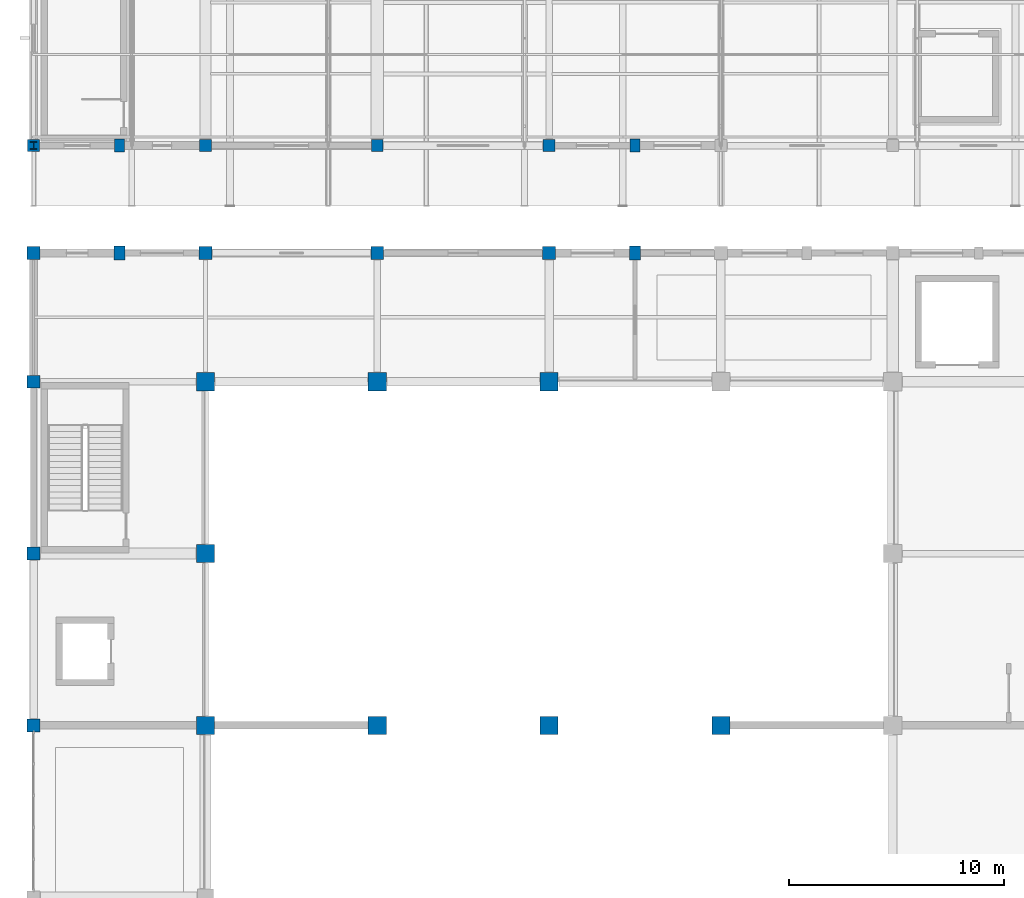
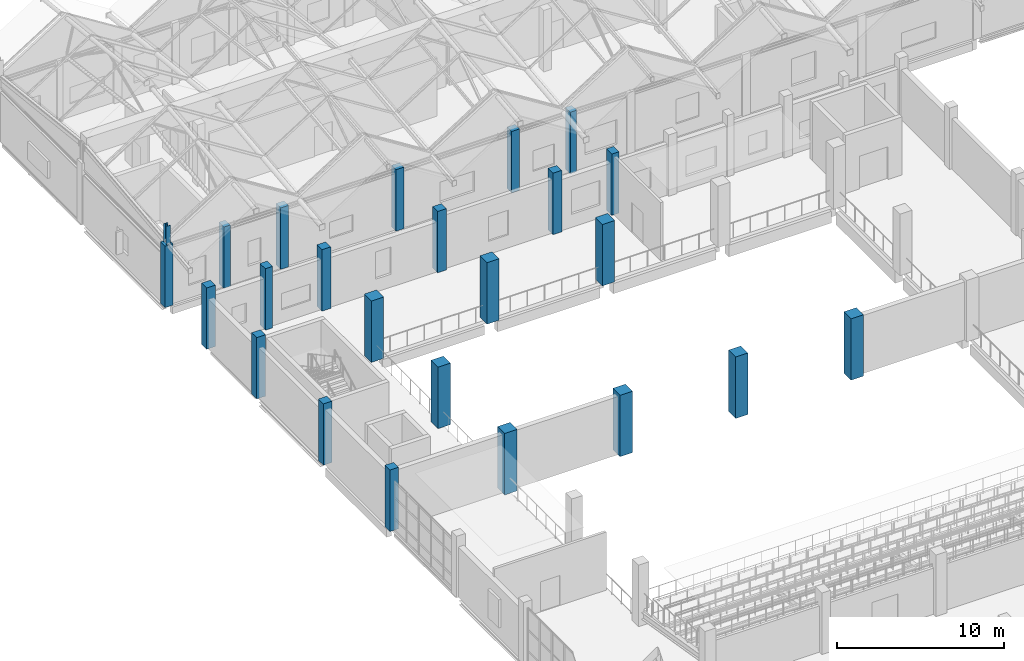
# One storey, part 3 of 183: 24 columns.
"""IFC4 building model written with IfcOpenShell, lengths in metres."""

from ifc_helpers import new_model, si_unit, direction, frame, origin, origin_2d, place, context, subcontext, project, spatial, rectangle, i_section, extrude, material, material_profile, profile_set, type_object, element, save


model = new_model("IFC4")

# Units and contexts
model_context = context("Model", 3, precision=1e-05, world=origin(), true_north=direction((0.0, 1.0)))
body_context = subcontext(model_context, "Body", "Model", "MODEL_VIEW")
ifc_project = project(units=[si_unit("LENGTHUNIT", "METRE"), si_unit("AREAUNIT", "SQUARE_METRE"), si_unit("VOLUMEUNIT", "CUBIC_METRE"), si_unit("PLANEANGLEUNIT", "RADIAN"), si_unit("MASSUNIT", "GRAM", prefix="KILO")], contexts=[model_context])

# Site, building, storey
site_placement = place(None, origin())
site = spatial("IfcSite", under=ifc_project, at=site_placement, CompositionType="ELEMENT")
building_placement = place(site_placement, origin())
building = spatial("IfcBuilding", under=site, at=building_placement, Name="Luwemba Playhouse", CompositionType="ELEMENT")
storey_placement = place(building_placement, frame((0.0, 0.0, 4.800048828125)))
storey = spatial("IfcBuildingStorey", under=building, at=storey_placement, Name="L01", CompositionType="ELEMENT", Elevation=4.800048828125)

# Columns
ifc_material_1 = material(Name="Concrete C40/50", Category="concrete")
ifc_material_profile_1 = material_profile(ifc_material_1, rectangle(XDim=0.550048828125, YDim=0.550048828125, at=origin_2d()))
ifc_profile_set_1 = profile_set([ifc_material_profile_1], Name="Concrete C40/50")
column_type_1 = type_object("IfcColumnType", Name="COL-C03", PredefinedType="COLUMN", material=ifc_profile_set_1)
for number, where, z_axis, x_axis, name in (
    (1, (4.0, 95.0, 0.0), (0.0, 0.0, 1.0), (1.0, 0.0, 0.0), "L01 column 013"),
    (2, (12.0, 95.0, 0.0), (0.0, 0.0, 1.0), (1.0, 0.0, 0.0), "L01 column 034"),
    (3, (20.0, 95.0, 0.0), (0.0, 0.0, 1.0), (1.0, 0.0, 0.0), "L01 column 050"),
    (4, (28.0, 95.0, 0.0), (0.0, 0.0, 1.0), (1.0, 0.0, 0.0), "L01 column 066"),
):
    element("IfcColumn", number, at=place(storey_placement, frame(where, z_axis=z_axis, x_axis=x_axis)), inside=storey, type_object=column_type_1, Name=name, PredefinedType="COLUMN", context=body_context, shape_type="SweptSolid", body=[
        extrude(rectangle(XDim=0.550048828125, YDim=0.550048828125, at=origin_2d()), origin(), (0.0, 0.0, 1.0), 4.5),
    ])
ifc_material_profile_2 = material_profile(ifc_material_1, rectangle(XDim=0.60009765625, YDim=0.60009765625, at=origin_2d()))
ifc_profile_set_2 = profile_set([ifc_material_profile_2], Name="Concrete C40/50")
column_type_2 = type_object("IfcColumnType", Name="COL-C04", PredefinedType="COLUMN", material=ifc_profile_set_2)
for number, where, z_axis, x_axis, name in (
    (5, (4.0, 68.0, 0.0), (0.0, 0.0, 1.0), (1.0, 0.0, 0.0), "L01 column 009"),
    (6, (4.0, 76.0, 0.0), (0.0, 0.0, 1.0), (1.0, 0.0, 0.0), "L01 column 010"),
    (7, (4.0, 84.0, 0.0), (0.0, 0.0, 1.0), (1.0, 0.0, 0.0), "L01 column 011"),
    (8, (4.0, 90.0, 0.0), (0.0, 0.0, 1.0), (1.0, 0.0, 0.0), "L01 column 012"),
    (9, (12.0, 90.0, 0.0), (0.0, 0.0, 1.0), (1.0, 0.0, 0.0), "L01 column 033"),
    (10, (20.0, 90.0, 0.0), (0.0, 0.0, 1.0), (1.0, 0.0, 0.0), "L01 column 049"),
    (11, (28.0, 90.0, 0.0), (0.0, 0.0, 1.0), (1.0, 0.0, 0.0), "L01 column 065"),
):
    element("IfcColumn", number, at=place(storey_placement, frame(where, z_axis=z_axis, x_axis=x_axis)), inside=storey, type_object=column_type_2, Name=name, PredefinedType="COLUMN", context=body_context, shape_type="SweptSolid", body=[
        extrude(rectangle(XDim=0.60009765625, YDim=0.60009765625, at=origin_2d()), origin(), (0.0, 0.0, 1.0), 4.5),
    ])
ifc_material_profile_3 = material_profile(ifc_material_1, rectangle(XDim=0.85009765625, YDim=0.85009765625, at=origin_2d()))
ifc_profile_set_3 = profile_set([ifc_material_profile_3], Name="Concrete C40/50")
column_type_3 = type_object("IfcColumnType", Name="COL-C09", PredefinedType="COLUMN", material=ifc_profile_set_3)
for number, where, z_axis, x_axis, name in (
    (12, (12.0, 68.0, 0.0), (0.0, 0.0, 1.0), (1.0, 0.0, 0.0), "L01 column 030"),
    (13, (12.0, 76.0, 0.0), (0.0, 0.0, 1.0), (1.0, 0.0, 0.0), "L01 column 031"),
    (14, (12.0, 84.0, 0.0), (0.0, 0.0, 1.0), (1.0, 0.0, 0.0), "L01 column 032"),
    (15, (20.0, 68.0, 0.0), (0.0, 0.0, 1.0), (1.0, 0.0, 0.0), "L01 column 047"),
    (16, (20.0, 84.0, 0.0), (0.0, 0.0, 1.0), (1.0, 0.0, 0.0), "L01 column 048"),
    (17, (28.0, 68.0, 0.0), (0.0, 0.0, 1.0), (1.0, 0.0, 0.0), "L01 column 063"),
    (18, (28.0, 84.0, 0.0), (0.0, 0.0, 1.0), (1.0, 0.0, 0.0), "L01 column 064"),
    (19, (36.0, 68.0, 0.0), (0.0, 0.0, 1.0), (1.0, 0.0, 0.0), "L01 column 081"),
):
    element("IfcColumn", number, at=place(storey_placement, frame(where, z_axis=z_axis, x_axis=x_axis)), inside=storey, type_object=column_type_3, Name=name, PredefinedType="COLUMN", context=body_context, shape_type="SweptSolid", body=[
        extrude(rectangle(XDim=0.85009765625, YDim=0.85009765625, at=origin_2d()), origin(), (0.0, 0.0, 1.0), 4.5),
    ])
ifc_material_profile_4 = material_profile(ifc_material_1, rectangle(XDim=0.449951171875, YDim=0.60009765625, at=origin_2d()))
ifc_profile_set_4 = profile_set([ifc_material_profile_4], Name="Concrete C40/50")
column_type_4 = type_object("IfcColumnType", Name="COL-PIL2", PredefinedType="PILASTER", material=ifc_profile_set_4)
for number, where, z_axis, x_axis, name in (
    (20, (8.0, 95.0, 0.0), (0.0, 0.0, 1.0), (1.0, 0.0, 0.0), "L01 column 020"),
    (21, (32.0, 95.0, 0.0), (0.0, 0.0, 1.0), (1.0, 0.0, 0.0), "L01 column 073"),
):
    element("IfcColumn", number, at=place(storey_placement, frame(where, z_axis=z_axis, x_axis=x_axis)), inside=storey, type_object=column_type_4, Name=name, PredefinedType="PILASTER", context=body_context, shape_type="SweptSolid", body=[
        extrude(rectangle(XDim=0.449951171875, YDim=0.60009765625, at=origin_2d()), origin(), (0.0, 0.0, 1.0), 4.5),
    ])
ifc_material_profile_5 = material_profile(ifc_material_1, rectangle(XDim=0.5, YDim=0.64990234375, at=origin_2d()))
ifc_profile_set_5 = profile_set([ifc_material_profile_5], Name="Concrete C40/50")
column_type_5 = type_object("IfcColumnType", Name="COL-PIL3", PredefinedType="PILASTER", material=ifc_profile_set_5)
for number, where, z_axis, x_axis, name in (
    (22, (8.0, 90.0, 0.0), (0.0, 0.0, 1.0), (1.0, 0.0, 0.0), "L01 column 019"),
    (23, (32.0, 90.0, 0.0), (0.0, 0.0, 1.0), (1.0, 0.0, 0.0), "L01 column 072"),
):
    element("IfcColumn", number, at=place(storey_placement, frame(where, z_axis=z_axis, x_axis=x_axis)), inside=storey, type_object=column_type_5, Name=name, PredefinedType="PILASTER", context=body_context, shape_type="SweptSolid", body=[
        extrude(rectangle(XDim=0.5, YDim=0.64990234375, at=origin_2d()), origin(), (0.0, 0.0, 1.0), 4.5),
    ])
ifc_material_2 = material(Name="Steel S355", Category="steel")
ifc_material_profile_6 = material_profile(ifc_material_2, i_section(OverallWidth=0.300048828125, OverallDepth=0.340087890625, WebThickness=0.011962890625, FlangeThickness=0.021484375, FilletRadius=0.027099609375, at=origin_2d()))
ifc_profile_set_6 = profile_set([ifc_material_profile_6], Name="Steel S355")
column_type_6 = type_object("IfcColumnType", Name="COL-SC2", PredefinedType="COLUMN", material=ifc_profile_set_6)
column_placement = place(storey_placement, frame((4.0, 95.0, 4.5), z_axis=(0.0, 0.0, 1.0), x_axis=(1.0, 0.0, 0.0)))
element("IfcColumn", 24, at=column_placement, inside=storey, type_object=column_type_6, Name="RF-V6W south corner apex stub", PredefinedType="COLUMN", context=body_context, shape_type="SweptSolid", body=[
    extrude(i_section(OverallWidth=0.300048828125, OverallDepth=0.340087890625, WebThickness=0.011962890625, FlangeThickness=0.021484375, FilletRadius=0.027099609375, at=origin_2d()), origin(), (0.0, 0.0, 1.0), 1.341552734375),
])

save(model, "model.ifc")
